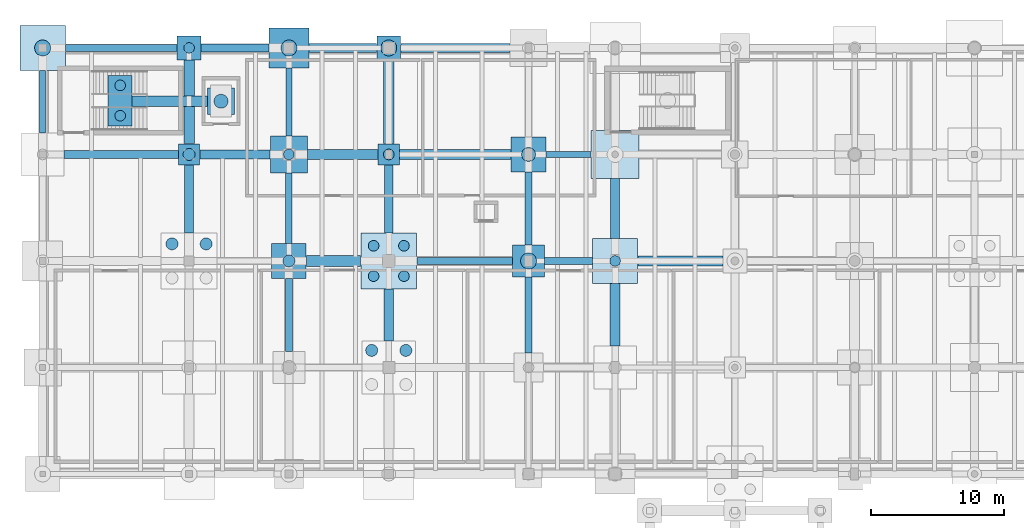
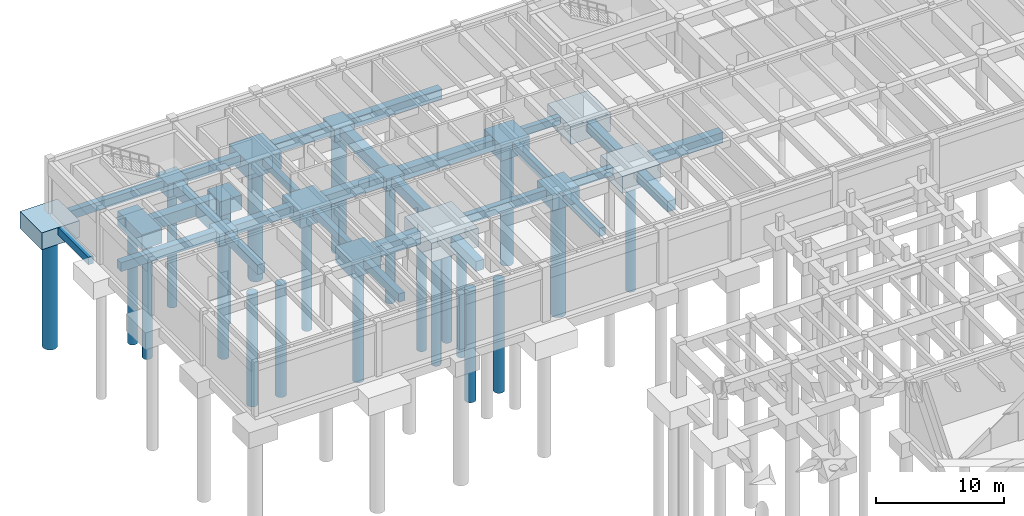
# One storey, part 9 of 36: 43 footings, 22 piles.
"""IFC4 building model written with IfcOpenShell, lengths in metres."""

from ifc_helpers import new_model, si_unit, direction, frame, origin, origin_2d, place, context, subcontext, project, spatial, polyline, circle, outline, extrude, material, material_profile, profile_set, type_object, element, save


model = new_model("IFC4")

# Units and contexts
model_context = context("Model", 3, precision=1e-05, world=origin(), true_north=direction((0.0, 1.0)))
body_context = subcontext(model_context, "Body", "Model", "MODEL_VIEW")
ifc_project = project(units=[si_unit("LENGTHUNIT", "METRE"), si_unit("AREAUNIT", "SQUARE_METRE"), si_unit("VOLUMEUNIT", "CUBIC_METRE"), si_unit("PLANEANGLEUNIT", "RADIAN"), si_unit("MASSUNIT", "GRAM", prefix="KILO"), si_unit("THERMODYNAMICTEMPERATUREUNIT", "KELVIN"), si_unit("POWERUNIT", "WATT")], contexts=[model_context])

# Site, building, storey
site_placement = place(None, origin())
site = spatial("IfcSite", under=ifc_project, at=site_placement, CompositionType="ELEMENT")
building_placement = place(site_placement, origin())
building = spatial("IfcBuilding", under=site, at=building_placement, Name="Tepalcoro Natatorium and Aquatics Centre", CompositionType="ELEMENT")
storey_placement = place(building_placement, frame((0.0, 0.0, -5.199951171875)))
storey = spatial("IfcBuildingStorey", under=building, at=storey_placement, Name="B1", CompositionType="ELEMENT", Elevation=-5.199951171875)

# Footings
ifc_material = material(Name="Concrete C40/50 (fc 40 MPa)", Category="concrete")
footing_type_1 = type_object("IfcFootingType", Name="FB_450x700", PredefinedType="FOOTING_BEAM", material=ifc_material)
footing_1_placement = place(storey_placement, frame((0.0, 0.0, -1.16015625)))
element("IfcFooting", 1, at=footing_1_placement, inside=storey, type_object=footing_type_1, Name="V4 B1 Foundation Tie Beam X", PredefinedType="FOOTING_BEAM", context=body_context, shape_type="SweptSolid", body=[
    extrude(outline(polyline([(47.804931640625, 109.77490234375), (51.195068359375, 109.77490234375), (51.195068359375, 110.22509765625), (47.804931640625, 110.22509765625), (47.804931640625, 109.77490234375)])), origin(), (0.0, 0.0, 1.0), 0.7001953125),
])
footing_2_placement = place(storey_placement, frame((0.0, 0.0, -1.16015625)))
element("IfcFooting", 2, at=footing_2_placement, inside=storey, type_object=footing_type_1, Name="V4 B1 Foundation Tie Beam Y", PredefinedType="FOOTING_BEAM", context=body_context, shape_type="SweptSolid", body=[
    extrude(outline(polyline([(10.22509765625, 111.60498046875), (10.22509765625, 116.294921875), (9.77490234375, 116.294921875), (9.77490234375, 111.60498046875), (10.22509765625, 111.60498046875)])), origin(), (0.0, 0.0, 1.0), 0.7001953125),
])
footing_3_placement = place(storey_placement, frame((0.0, 0.0, -1.16015625)))
element("IfcFooting", 3, at=footing_3_placement, inside=storey, type_object=footing_type_1, Name="V4 B1 Foundation Tie Beam Y", PredefinedType="FOOTING_BEAM", context=body_context, shape_type="SweptSolid", body=[
    extrude(outline(polyline([(28.72509765625, 111.405029296875), (28.72509765625, 116.4951171875), (28.27490234375, 116.4951171875), (28.27490234375, 111.405029296875), (28.72509765625, 111.405029296875)])), origin(), (0.0, 0.0, 1.0), 0.7001953125),
])
footing_type_2 = type_object("IfcFootingType", Name="FB_500x750", PredefinedType="FOOTING_BEAM", material=ifc_material)
footing_4_placement = place(storey_placement, frame((0.0, 0.0, -1.2099609375)))
element("IfcFooting", 4, at=footing_4_placement, inside=storey, type_object=footing_type_2, Name="V4 B1 Foundation Tie Beam X", PredefinedType="FOOTING_BEAM", context=body_context, shape_type="SweptSolid", body=[
    extrude(outline(polyline([(47.705078125, 101.75), (51.294921875, 101.75), (51.294921875, 102.25), (47.705078125, 102.25), (47.705078125, 101.75)])), origin(), (0.0, 0.0, 1.0), 0.75),
])
footing_5_placement = place(storey_placement, frame((0.0, 0.0, -1.2099609375)))
element("IfcFooting", 5, at=footing_5_placement, inside=storey, type_object=footing_type_2, Name="V4 B1 Foundation Tie Beam Y", PredefinedType="FOOTING_BEAM", context=body_context, shape_type="SweptSolid", body=[
    extrude(outline(polyline([(28.75, 103.304931640625), (28.75, 108.594970703125), (28.25, 108.594970703125), (28.25, 103.304931640625), (28.75, 103.304931640625)])), origin(), (0.0, 0.0, 1.0), 0.75),
])
footing_6_placement = place(storey_placement, frame((0.0, 0.0, -1.2099609375)))
element("IfcFooting", 6, at=footing_6_placement, inside=storey, type_object=footing_type_2, Name="V4 B1 Foundation Tie Beam Y", PredefinedType="FOOTING_BEAM", context=body_context, shape_type="SweptSolid", body=[
    extrude(outline(polyline([(46.75, 103.205078125), (46.75, 108.695068359375), (46.25, 108.695068359375), (46.25, 103.205078125), (46.75, 103.205078125)])), origin(), (0.0, 0.0, 1.0), 0.75),
])
footing_type_3 = type_object("IfcFootingType", Name="FB_550x800", PredefinedType="FOOTING_BEAM", material=ifc_material)
footing_7_placement = place(storey_placement, frame((0.0, 0.0, -1.260009765625)))
element("IfcFooting", 7, at=footing_7_placement, inside=storey, type_object=footing_type_3, Name="V4 B1 Foundation Tie Beam X", PredefinedType="FOOTING_BEAM", context=body_context, shape_type="SweptSolid", body=[
    extrude(outline(polyline([(11.705078125, 117.72509765625), (20.094970703125, 117.72509765625), (20.094970703125, 118.27490234375), (11.705078125, 118.27490234375), (11.705078125, 117.72509765625)])), origin(), (0.0, 0.0, 1.0), 0.800048828125),
])
footing_8_placement = place(storey_placement, frame((0.0, 0.0, -1.260009765625)))
element("IfcFooting", 8, at=footing_8_placement, inside=storey, type_object=footing_type_3, Name="V4 B1 Foundation Tie Beam X", PredefinedType="FOOTING_BEAM", context=body_context, shape_type="SweptSolid", body=[
    extrude(outline(polyline([(38.10498046875, 101.72509765625), (45.294921875, 101.72509765625), (45.294921875, 102.27490234375), (38.10498046875, 102.27490234375), (38.10498046875, 101.72509765625)])), origin(), (0.0, 0.0, 1.0), 0.800048828125),
])
footing_9_placement = place(storey_placement, frame((0.0, 0.0, -1.260009765625)))
element("IfcFooting", 9, at=footing_9_placement, inside=storey, type_object=footing_type_3, Name="V4 B1 Foundation Tie Beam Y", PredefinedType="FOOTING_BEAM", context=body_context, shape_type="SweptSolid", body=[
    extrude(outline(polyline([(28.77490234375, 95.205078125), (28.77490234375, 100.695068359375), (28.22509765625, 100.695068359375), (28.22509765625, 95.205078125), (28.77490234375, 95.205078125)])), origin(), (0.0, 0.0, 1.0), 0.800048828125),
])
footing_10_placement = place(storey_placement, frame((0.0, 0.0, -1.260009765625)))
element("IfcFooting", 10, at=footing_10_placement, inside=storey, type_object=footing_type_3, Name="V4 B1 Foundation Tie Beam Y", PredefinedType="FOOTING_BEAM", context=body_context, shape_type="SweptSolid", body=[
    extrude(outline(polyline([(46.77490234375, 95.10498046875), (46.77490234375, 100.794921875), (46.22509765625, 100.794921875), (46.22509765625, 95.10498046875), (46.77490234375, 95.10498046875)])), origin(), (0.0, 0.0, 1.0), 0.800048828125),
])
footing_type_4 = type_object("IfcFootingType", Name="FB_600x850", PredefinedType="FOOTING_BEAM", material=ifc_material)
footing_11_placement = place(storey_placement, frame((0.0, 0.0, -1.31005859375)))
element("IfcFooting", 11, at=footing_11_placement, inside=storey, type_object=footing_type_4, Name="V4 B1 Foundation Tie Beam X", PredefinedType="FOOTING_BEAM", context=body_context, shape_type="SweptSolid", body=[
    extrude(outline(polyline([(11.60498046875, 109.699951171875), (20.195068359375, 109.699951171875), (20.195068359375, 110.300048828125), (11.60498046875, 110.300048828125), (11.60498046875, 109.699951171875)])), origin(), (0.0, 0.0, 1.0), 0.85009765625),
])
footing_12_placement = place(storey_placement, frame((0.0, 0.0, -1.31005859375)))
element("IfcFooting", 12, at=footing_12_placement, inside=storey, type_object=footing_type_4, Name="V4 B1 Foundation Tie Beam X", PredefinedType="FOOTING_BEAM", context=body_context, shape_type="SweptSolid", body=[
    extrude(outline(polyline([(21.905029296875, 117.699951171875), (26.9951171875, 117.699951171875), (26.9951171875, 118.300048828125), (21.905029296875, 118.300048828125), (21.905029296875, 117.699951171875)])), origin(), (0.0, 0.0, 1.0), 0.85009765625),
])
footing_type_5 = type_object("IfcFootingType", Name="FB_650x900", PredefinedType="FOOTING_BEAM", material=ifc_material)
footing_13_placement = place(storey_placement, frame((0.0, 0.0, -1.360107421875)))
element("IfcFooting", 13, at=footing_13_placement, inside=storey, type_object=footing_type_5, Name="V4 B1 Foundation Tie Beam X", PredefinedType="FOOTING_BEAM", context=body_context, shape_type="SweptSolid", body=[
    extrude(outline(polyline([(21.804931640625, 109.675048828125), (27.094970703125, 109.675048828125), (27.094970703125, 110.324951171875), (21.804931640625, 110.324951171875), (21.804931640625, 109.675048828125)])), origin(), (0.0, 0.0, 1.0), 0.900146484375),
])
footing_14_placement = place(storey_placement, frame((0.0, 0.0, -1.360107421875)))
element("IfcFooting", 14, at=footing_14_placement, inside=storey, type_object=footing_type_5, Name="V4 B1 Foundation Tie Beam Y", PredefinedType="FOOTING_BEAM", context=body_context, shape_type="SweptSolid", body=[
    extrude(outline(polyline([(21.324951171875, 104.10498046875), (21.324951171875, 109.195068359375), (20.675048828125, 109.195068359375), (20.675048828125, 104.10498046875), (21.324951171875, 104.10498046875)])), origin(), (0.0, 0.0, 1.0), 0.900146484375),
])
footing_15_placement = place(storey_placement, frame((0.0, 0.0, -1.360107421875)))
element("IfcFooting", 15, at=footing_15_placement, inside=storey, type_object=footing_type_5, Name="V4 B1 Foundation Tie Beam Y", PredefinedType="FOOTING_BEAM", context=body_context, shape_type="SweptSolid", body=[
    extrude(outline(polyline([(36.324951171875, 104.10498046875), (36.324951171875, 109.195068359375), (35.675048828125, 109.195068359375), (35.675048828125, 104.10498046875), (36.324951171875, 104.10498046875)])), origin(), (0.0, 0.0, 1.0), 0.900146484375),
])
footing_type_6 = type_object("IfcFootingType", Name="FB_700x950", PredefinedType="FOOTING_BEAM", material=ifc_material)
footing_16_placement = place(storey_placement, frame((0.0, 0.0, -1.41015625)))
element("IfcFooting", 16, at=footing_16_placement, inside=storey, type_object=footing_type_6, Name="V4 B1 Foundation Tie Beam X", PredefinedType="FOOTING_BEAM", context=body_context, shape_type="SweptSolid", body=[
    extrude(outline(polyline([(30.0048828125, 117.64990234375), (35.094970703125, 117.64990234375), (35.094970703125, 118.35009765625), (30.0048828125, 118.35009765625), (30.0048828125, 117.64990234375)])), origin(), (0.0, 0.0, 1.0), 0.9501953125),
])
footing_17_placement = place(storey_placement, frame((0.0, 0.0, -1.41015625)))
element("IfcFooting", 17, at=footing_17_placement, inside=storey, type_object=footing_type_6, Name="V4 B1 Foundation Tie Beam X", PredefinedType="FOOTING_BEAM", context=body_context, shape_type="SweptSolid", body=[
    extrude(outline(polyline([(36.905029296875, 117.64990234375), (45.094970703125, 117.64990234375), (45.094970703125, 118.35009765625), (36.905029296875, 118.35009765625), (36.905029296875, 117.64990234375)])), origin(), (0.0, 0.0, 1.0), 0.9501953125),
])
footing_18_placement = place(storey_placement, frame((0.0, 0.0, -1.41015625)))
element("IfcFooting", 18, at=footing_18_placement, inside=storey, type_object=footing_type_6, Name="V4 B1 Foundation Tie Beam Y", PredefinedType="FOOTING_BEAM", context=body_context, shape_type="SweptSolid", body=[
    extrude(outline(polyline([(36.35009765625, 96.0048828125), (36.35009765625, 99.89501953125), (35.64990234375, 99.89501953125), (35.64990234375, 96.0048828125), (36.35009765625, 96.0048828125)])), origin(), (0.0, 0.0, 1.0), 0.9501953125),
])
footing_19_placement = place(storey_placement, frame((0.0, 0.0, -1.41015625)))
element("IfcFooting", 19, at=footing_19_placement, inside=storey, type_object=footing_type_6, Name="V4 B1 Foundation Tie Beam Y", PredefinedType="FOOTING_BEAM", context=body_context, shape_type="SweptSolid", body=[
    extrude(outline(polyline([(53.35009765625, 103.705078125), (53.35009765625, 108.195068359375), (52.64990234375, 108.195068359375), (52.64990234375, 103.705078125), (53.35009765625, 103.705078125)])), origin(), (0.0, 0.0, 1.0), 0.9501953125),
])
footing_type_7 = type_object("IfcFootingType", Name="FB_750x1000", PredefinedType="FOOTING_BEAM", material=ifc_material)
footing_20_placement = place(storey_placement, frame((0.0, 0.0, -1.4599609375)))
element("IfcFooting", 20, at=footing_20_placement, inside=storey, type_object=footing_type_7, Name="V4 B1 Foundation Tie Beam X", PredefinedType="FOOTING_BEAM", context=body_context, shape_type="SweptSolid", body=[
    extrude(outline(polyline([(29.905029296875, 109.625), (35.195068359375, 109.625), (35.195068359375, 110.375), (29.905029296875, 110.375), (29.905029296875, 109.625)])), origin(), (0.0, 0.0, 1.0), 1.0),
])
footing_21_placement = place(storey_placement, frame((0.0, 0.0, -1.4599609375)))
element("IfcFooting", 21, at=footing_21_placement, inside=storey, type_object=footing_type_7, Name="V4 B1 Foundation Tie Beam X", PredefinedType="FOOTING_BEAM", context=body_context, shape_type="SweptSolid", body=[
    extrude(outline(polyline([(36.804931640625, 109.625), (45.195068359375, 109.625), (45.195068359375, 110.375), (36.804931640625, 110.375), (36.804931640625, 109.625)])), origin(), (0.0, 0.0, 1.0), 1.0),
])
footing_22_placement = place(storey_placement, frame((0.0, 0.0, -1.4599609375)))
element("IfcFooting", 22, at=footing_22_placement, inside=storey, type_object=footing_type_7, Name="V4 B1 Foundation Tie Beam X", PredefinedType="FOOTING_BEAM", context=body_context, shape_type="SweptSolid", body=[
    extrude(outline(polyline([(54.705078125, 101.625), (61.094970703125, 101.625), (61.094970703125, 102.375), (54.705078125, 102.375), (54.705078125, 101.625)])), origin(), (0.0, 0.0, 1.0), 1.0),
])
footing_23_placement = place(storey_placement, frame((0.0, 0.0, -1.4599609375)))
element("IfcFooting", 23, at=footing_23_placement, inside=storey, type_object=footing_type_7, Name="V4 B1 Foundation Tie Beam Y", PredefinedType="FOOTING_BEAM", context=body_context, shape_type="SweptSolid", body=[
    extrude(outline(polyline([(53.375, 95.60498046875), (53.375, 100.294921875), (52.625, 100.294921875), (52.625, 95.60498046875), (53.375, 95.60498046875)])), origin(), (0.0, 0.0, 1.0), 1.0),
])
footing_type_8 = type_object("IfcFootingType", Name="FB_800x1100", PredefinedType="FOOTING_BEAM", material=ifc_material)
footing_24_placement = place(storey_placement, frame((0.0, 0.0, -1.56005859375)))
element("IfcFooting", 24, at=footing_24_placement, inside=storey, type_object=footing_type_8, Name="V4 B1 Foundation Tie Beam X", PredefinedType="FOOTING_BEAM", context=body_context, shape_type="SweptSolid", body=[
    extrude(outline(polyline([(16.72998046875, 113.60009765625), (22.39501953125, 113.60009765625), (22.39501953125, 114.39990234375), (16.72998046875, 114.39990234375), (16.72998046875, 113.60009765625)])), origin(), (0.0, 0.0, 1.0), 1.10009765625),
])
footing_25_placement = place(storey_placement, frame((0.0, 0.0, -1.56005859375)))
element("IfcFooting", 25, at=footing_25_placement, inside=storey, type_object=footing_type_8, Name="V4 B1 Foundation Tie Beam X", PredefinedType="FOOTING_BEAM", context=body_context, shape_type="SweptSolid", body=[
    extrude(outline(polyline([(29.804931640625, 101.60009765625), (33.89501953125, 101.60009765625), (33.89501953125, 102.39990234375), (29.804931640625, 102.39990234375), (29.804931640625, 101.60009765625)])), origin(), (0.0, 0.0, 1.0), 1.10009765625),
])
footing_26_placement = place(storey_placement, frame((0.0, 0.0, -1.56005859375)))
element("IfcFooting", 26, at=footing_26_placement, inside=storey, type_object=footing_type_8, Name="V4 B1 Foundation Tie Beam Y", PredefinedType="FOOTING_BEAM", context=body_context, shape_type="SweptSolid", body=[
    extrude(outline(polyline([(21.39990234375, 110.804931640625), (20.60009765625, 110.804931640625), (20.60009765625, 113.590087890625), (21.39990234375, 113.590087890625), (21.39990234375, 110.804931640625)])), origin(), (0.0, 0.0, 1.0), 1.10009765625),
])
footing_27_placement = place(storey_placement, frame((0.0, 0.0, -1.56005859375)))
element("IfcFooting", 27, at=footing_27_placement, inside=storey, type_object=footing_type_8, Name="V4 B1 Foundation Tie Beam Y", PredefinedType="FOOTING_BEAM", context=body_context, shape_type="SweptSolid", body=[
    extrude(outline(polyline([(20.60009765625, 117.094970703125), (21.39990234375, 117.094970703125), (21.39990234375, 114.409912109375), (20.60009765625, 114.409912109375), (20.60009765625, 117.094970703125)])), origin(), (0.0, 0.0, 1.0), 1.10009765625),
])
footing_28_placement = place(storey_placement, frame((0.0, 0.0, -1.56005859375)))
element("IfcFooting", 28, at=footing_28_placement, inside=storey, type_object=footing_type_8, Name="V4 B1 Foundation Tie Beam Y", PredefinedType="FOOTING_BEAM", context=body_context, shape_type="SweptSolid", body=[
    extrude(outline(polyline([(36.39990234375, 110.804931640625), (36.39990234375, 117.094970703125), (35.60009765625, 117.094970703125), (35.60009765625, 110.804931640625), (36.39990234375, 110.804931640625)])), origin(), (0.0, 0.0, 1.0), 1.10009765625),
])
footing_type_9 = type_object("IfcFootingType", Name="PC_1600x1600x1200", PredefinedType="PILE_CAP", material=ifc_material)
footing_29_placement = place(storey_placement, frame((0.0, 0.0, -1.66015625)))
element("IfcFooting", 29, at=footing_29_placement, inside=storey, type_object=footing_type_9, Name="V4 Reinforced Concrete Pile Cap 182", PredefinedType="PILE_CAP", context=body_context, shape_type="SweptSolid", body=[
    extrude(outline(polyline([(20.199951171875, 109.199951171875), (21.800048828125, 109.199951171875), (21.800048828125, 110.800048828125), (20.199951171875, 110.800048828125), (20.199951171875, 109.199951171875)])), origin(), (0.0, 0.0, 1.0), 1.2001953125),
])
footing_30_placement = place(storey_placement, frame((0.0, 0.0, -1.66015625)))
element("IfcFooting", 30, at=footing_30_placement, inside=storey, type_object=footing_type_9, Name="V4 Reinforced Concrete Pile Cap 193", PredefinedType="PILE_CAP", context=body_context, shape_type="SweptSolid", body=[
    extrude(outline(polyline([(35.199951171875, 109.199951171875), (36.800048828125, 109.199951171875), (36.800048828125, 110.800048828125), (35.199951171875, 110.800048828125), (35.199951171875, 109.199951171875)])), origin(), (0.0, 0.0, 1.0), 1.2001953125),
])
footing_type_10 = type_object("IfcFootingType", Name="PC_1800x1800x1300", PredefinedType="PILE_CAP", material=ifc_material)
footing_31_placement = place(storey_placement, frame((0.0, 0.0, -1.760009765625)))
element("IfcFooting", 31, at=footing_31_placement, inside=storey, type_object=footing_type_10, Name="V4 Reinforced Concrete Pile Cap 181", PredefinedType="PILE_CAP", context=body_context, shape_type="SweptSolid", body=[
    extrude(outline(polyline([(20.10009765625, 117.10009765625), (21.89990234375, 117.10009765625), (21.89990234375, 118.89990234375), (20.10009765625, 118.89990234375), (20.10009765625, 117.10009765625)])), origin(), (0.0, 0.0, 1.0), 1.300048828125),
])
footing_32_placement = place(storey_placement, frame((0.0, 0.0, -1.760009765625)))
element("IfcFooting", 32, at=footing_32_placement, inside=storey, type_object=footing_type_10, Name="V4 Reinforced Concrete Pile Cap 192", PredefinedType="PILE_CAP", context=body_context, shape_type="SweptSolid", body=[
    extrude(outline(polyline([(35.10009765625, 117.10009765625), (36.89990234375, 117.10009765625), (36.89990234375, 118.89990234375), (35.10009765625, 118.89990234375), (35.10009765625, 117.10009765625)])), origin(), (0.0, 0.0, 1.0), 1.300048828125),
])
footing_type_11 = type_object("IfcFootingType", Name="PC_1800x3800x1400", PredefinedType="PILE_CAP", material=ifc_material)
footing_33_placement = place(storey_placement, frame((0.0, 0.0, -1.860107421875)))
element("IfcFooting", 33, at=footing_33_placement, inside=storey, type_object=footing_type_11, Name="V4 Reinforced Concrete Pile Cap 177", PredefinedType="PILE_CAP", context=body_context, shape_type="SweptSolid", body=[
    extrude(outline(polyline([(14.925048828125, 112.14990234375), (16.72509765625, 112.14990234375), (16.72509765625, 115.949951171875), (14.925048828125, 115.949951171875), (14.925048828125, 112.14990234375)])), origin(), (0.0, 0.0, 1.0), 1.400146484375),
])
footing_type_12 = type_object("IfcFootingType", Name="PC_2000x2000x1400", PredefinedType="PILE_CAP", material=ifc_material)
footing_34_placement = place(storey_placement, frame((0.0, 0.0, -1.860107421875)))
element("IfcFooting", 34, at=footing_34_placement, inside=storey, type_object=footing_type_12, Name="V4 Reinforced Concrete Pile Cap 183", PredefinedType="PILE_CAP", context=body_context, shape_type="SweptSolid", body=[
    extrude(outline(polyline([(22.39990234375, 113.0), (24.39990234375, 113.0), (24.39990234375, 115.0), (22.39990234375, 115.0), (22.39990234375, 113.0)])), origin(), (0.0, 0.0, 1.0), 1.400146484375),
])
footing_type_13 = type_object("IfcFootingType", Name="PC_2400x2400x1500", PredefinedType="PILE_CAP", material=ifc_material)
footing_35_placement = place(storey_placement, frame((0.0, 0.0, -1.9599609375)))
element("IfcFooting", 35, at=footing_35_placement, inside=storey, type_object=footing_type_13, Name="V4 Reinforced Concrete Pile Cap 196", PredefinedType="PILE_CAP", context=body_context, shape_type="SweptSolid", body=[
    extrude(outline(polyline([(45.300048828125, 100.800048828125), (47.699951171875, 100.800048828125), (47.699951171875, 103.199951171875), (45.300048828125, 103.199951171875), (45.300048828125, 100.800048828125)])), origin(), (0.0, 0.0, 1.0), 1.5),
])
footing_type_14 = type_object("IfcFootingType", Name="PC_2600x2600x1500", PredefinedType="PILE_CAP", material=ifc_material)
footing_36_placement = place(storey_placement, frame((0.0, 0.0, -1.9599609375)))
element("IfcFooting", 36, at=footing_36_placement, inside=storey, type_object=footing_type_14, Name="V4 Reinforced Concrete Pile Cap 186", PredefinedType="PILE_CAP", context=body_context, shape_type="SweptSolid", body=[
    extrude(outline(polyline([(27.199951171875, 100.699951171875), (29.800048828125, 100.699951171875), (29.800048828125, 103.300048828125), (27.199951171875, 103.300048828125), (27.199951171875, 100.699951171875)])), origin(), (0.0, 0.0, 1.0), 1.5),
])
footing_37_placement = place(storey_placement, frame((0.0, 0.0, -1.9599609375)))
element("IfcFooting", 37, at=footing_37_placement, inside=storey, type_object=footing_type_14, Name="V4 Reinforced Concrete Pile Cap 195", PredefinedType="PILE_CAP", context=body_context, shape_type="SweptSolid", body=[
    extrude(outline(polyline([(45.199951171875, 108.699951171875), (47.800048828125, 108.699951171875), (47.800048828125, 111.300048828125), (45.199951171875, 111.300048828125), (45.199951171875, 108.699951171875)])), origin(), (0.0, 0.0, 1.0), 1.5),
])
footing_type_15 = type_object("IfcFootingType", Name="PC_2800x2800x1500", PredefinedType="PILE_CAP", material=ifc_material)
footing_38_placement = place(storey_placement, frame((0.0, 0.0, -1.9599609375)))
element("IfcFooting", 38, at=footing_38_placement, inside=storey, type_object=footing_type_15, Name="V4 Reinforced Concrete Pile Cap 185", PredefinedType="PILE_CAP", context=body_context, shape_type="SweptSolid", body=[
    extrude(outline(polyline([(27.10009765625, 108.60009765625), (29.89990234375, 108.60009765625), (29.89990234375, 111.39990234375), (27.10009765625, 111.39990234375), (27.10009765625, 108.60009765625)])), origin(), (0.0, 0.0, 1.0), 1.5),
])
footing_type_16 = type_object("IfcFootingType", Name="PC_3000x3000x1600", PredefinedType="PILE_CAP", material=ifc_material)
footing_39_placement = place(storey_placement, frame((0.0, 0.0, -2.06005859375)))
element("IfcFooting", 39, at=footing_39_placement, inside=storey, type_object=footing_type_16, Name="V4 Reinforced Concrete Pile Cap 184", PredefinedType="PILE_CAP", context=body_context, shape_type="SweptSolid", body=[
    extrude(outline(polyline([(27.0, 116.5), (30.0, 116.5), (30.0, 119.5), (27.0, 119.5), (27.0, 116.5)])), origin(), (0.0, 0.0, 1.0), 1.60009765625),
])
footing_type_17 = type_object("IfcFootingType", Name="PC_3400x3400x1600", PredefinedType="PILE_CAP", material=ifc_material)
footing_40_placement = place(storey_placement, frame((0.0, 0.0, -2.06005859375)))
element("IfcFooting", 40, at=footing_40_placement, inside=storey, type_object=footing_type_17, Name="V4 Reinforced Concrete Pile Cap 172", PredefinedType="PILE_CAP", context=body_context, shape_type="SweptSolid", body=[
    extrude(outline(polyline([(8.300048828125, 116.300048828125), (11.699951171875, 116.300048828125), (11.699951171875, 119.699951171875), (8.300048828125, 119.699951171875), (8.300048828125, 116.300048828125)])), origin(), (0.0, 0.0, 1.0), 1.60009765625),
])
footing_41_placement = place(storey_placement, frame((0.0, 0.0, -2.06005859375)))
element("IfcFooting", 41, at=footing_41_placement, inside=storey, type_object=footing_type_17, Name="V4 Reinforced Concrete Pile Cap 201", PredefinedType="PILE_CAP", context=body_context, shape_type="SweptSolid", body=[
    extrude(outline(polyline([(51.300048828125, 100.300048828125), (54.699951171875, 100.300048828125), (54.699951171875, 103.699951171875), (51.300048828125, 103.699951171875), (51.300048828125, 100.300048828125)])), origin(), (0.0, 0.0, 1.0), 1.60009765625),
])
footing_type_18 = type_object("IfcFootingType", Name="PC_3600x3600x1700", PredefinedType="PILE_CAP", material=ifc_material)
footing_42_placement = place(storey_placement, frame((0.0, 0.0, -2.16015625)))
element("IfcFooting", 42, at=footing_42_placement, inside=storey, type_object=footing_type_18, Name="V4 Reinforced Concrete Pile Cap 200", PredefinedType="PILE_CAP", context=body_context, shape_type="SweptSolid", body=[
    extrude(outline(polyline([(51.199951171875, 108.199951171875), (54.800048828125, 108.199951171875), (54.800048828125, 111.800048828125), (51.199951171875, 111.800048828125), (51.199951171875, 108.199951171875)])), origin(), (0.0, 0.0, 1.0), 1.7001953125),
])
footing_type_19 = type_object("IfcFootingType", Name="PC_4200x4200x1800", PredefinedType="PILE_CAP", material=ifc_material)
footing_43_placement = place(storey_placement, frame((0.0, 0.0, -2.260009765625)))
element("IfcFooting", 43, at=footing_43_placement, inside=storey, type_object=footing_type_19, Name="V4 Reinforced Concrete Pile Cap 189", PredefinedType="PILE_CAP", context=body_context, shape_type="SweptSolid", body=[
    extrude(outline(polyline([(33.89990234375, 99.89990234375), (38.10009765625, 99.89990234375), (38.10009765625, 104.10009765625), (33.89990234375, 104.10009765625), (33.89990234375, 99.89990234375)])), origin(), (0.0, 0.0, 1.0), 1.800048828125),
])

# Piles
ifc_material_profile_1 = material_profile(ifc_material, circle(Radius=0.52490234375, at=origin_2d()), Name="PILE_D1050")
ifc_profile_set_1 = profile_set([ifc_material_profile_1], Name="Concrete C40/50 (fc 40 MPa)")
pile_type_1 = type_object("IfcPileType", Name="PILE_D1050", PredefinedType="BORED", material=ifc_profile_set_1)
pile_1_placement = place(storey_placement, frame((23.39990234375, 114.0, -1.760009765625), z_axis=(0.0, 0.0, -1.0), x_axis=(1.0, 0.0, 0.0)))
element("IfcPile", 44, at=pile_1_placement, inside=storey, type_object=pile_type_1, Name="Bored Pile PILE_D1050 under PC_V4_0182", PredefinedType="BORED", context=body_context, shape_type="SweptSolid", body=[
    extrude(circle(Radius=0.52490234375, at=origin_2d()), origin(), (0.0, 0.0, 1.0), 11.0400390625),
])
pile_2_placement = place(storey_placement, frame((46.5, 110.0, -1.860107421875), z_axis=(0.0, 0.0, -1.0), x_axis=(1.0, 0.0, 0.0)))
element("IfcPile", 45, at=pile_2_placement, inside=storey, type_object=pile_type_1, Name="Bored Pile PILE_D1050 under PC_V4_0194", PredefinedType="BORED", context=body_context, shape_type="SweptSolid", body=[
    extrude(circle(Radius=0.52490234375, at=origin_2d()), origin(), (0.0, 0.0, 1.0), 10.93994140625),
])
ifc_material_profile_2 = material_profile(ifc_material, circle(Radius=0.60009765625, at=origin_2d()), Name="PILE_D1200")
ifc_profile_set_2 = profile_set([ifc_material_profile_2], Name="Concrete C40/50 (fc 40 MPa)")
pile_type_2 = type_object("IfcPileType", Name="PILE_D1200", PredefinedType="BORED", material=ifc_profile_set_2)
for number, where, z_axis, x_axis, name in (
    (46, (10.0, 118.0, -1.9599609375), (0.0, 0.0, -1.0), (1.0, 0.0, 0.0), "Bored Pile PILE_D1200 under PC_V4_0171"),
    (47, (28.5, 118.0, -1.9599609375), (0.0, 0.0, -1.0), (1.0, 0.0, 0.0), "Bored Pile PILE_D1200 under PC_V4_0183"),
):
    element("IfcPile", number, at=place(storey_placement, frame(where, z_axis=z_axis, x_axis=x_axis)), inside=storey, type_object=pile_type_2, Name=name, PredefinedType="BORED", context=body_context, shape_type="SweptSolid", body=[
        extrude(circle(Radius=0.60009765625, at=origin_2d()), origin(), (0.0, 0.0, 1.0), 10.840087890625),
    ])
pile_3_placement = place(storey_placement, frame((36.0, 118.0, -1.66015625), z_axis=(0.0, 0.0, -1.0), x_axis=(1.0, 0.0, 0.0)))
element("IfcPile", 48, at=pile_3_placement, inside=storey, type_object=pile_type_2, Name="Bored Pile PILE_D1200 under PC_V4_0191", PredefinedType="BORED", context=body_context, shape_type="SweptSolid", body=[
    extrude(circle(Radius=0.60009765625, at=origin_2d()), origin(), (0.0, 0.0, 1.0), 11.139892578125),
])
pile_4_placement = place(storey_placement, frame((46.5, 102.0, -1.860107421875), z_axis=(0.0, 0.0, -1.0), x_axis=(1.0, 0.0, 0.0)))
element("IfcPile", 49, at=pile_4_placement, inside=storey, type_object=pile_type_2, Name="Bored Pile PILE_D1200 under PC_V4_0195", PredefinedType="BORED", context=body_context, shape_type="SweptSolid", body=[
    extrude(circle(Radius=0.60009765625, at=origin_2d()), origin(), (0.0, 0.0, 1.0), 10.93994140625),
])
ifc_material_profile_3 = material_profile(ifc_material, circle(Radius=0.39990234375, at=origin_2d()), Name="PILE_D800")
ifc_profile_set_3 = profile_set([ifc_material_profile_3], Name="Concrete C40/50 (fc 40 MPa)")
pile_type_3 = type_object("IfcPileType", Name="PILE_D800", PredefinedType="BORED", material=ifc_profile_set_3)
for number, where, z_axis, x_axis, name in (
    (50, (15.824951171875, 112.909912109375, -1.760009765625), (0.0, 0.0, -1.0), (1.0, 0.0, 0.0), "Bored Pile PILE_D800 under PC_V4_0176"),
    (51, (15.824951171875, 115.18994140625, -1.760009765625), (0.0, 0.0, -1.0), (1.0, 0.0, 0.0), "Bored Pile PILE_D800 under PC_V4_0176"),
):
    element("IfcPile", number, at=place(storey_placement, frame(where, z_axis=z_axis, x_axis=x_axis)), inside=storey, type_object=pile_type_3, Name=name, PredefinedType="BORED", context=body_context, shape_type="SweptSolid", body=[
        extrude(circle(Radius=0.39990234375, at=origin_2d()), origin(), (0.0, 0.0, 1.0), 11.0400390625),
    ])
pile_5_placement = place(storey_placement, frame((21.0, 118.0, -1.66015625), z_axis=(0.0, 0.0, -1.0), x_axis=(1.0, 0.0, 0.0)))
element("IfcPile", 52, at=pile_5_placement, inside=storey, type_object=pile_type_3, Name="Bored Pile PILE_D800 under PC_V4_0180", PredefinedType="BORED", context=body_context, shape_type="SweptSolid", body=[
    extrude(circle(Radius=0.39990234375, at=origin_2d()), origin(), (0.0, 0.0, 1.0), 11.139892578125),
])
pile_6_placement = place(storey_placement, frame((28.5, 110.0, -1.860107421875), z_axis=(0.0, 0.0, -1.0), x_axis=(1.0, 0.0, 0.0)))
element("IfcPile", 53, at=pile_6_placement, inside=storey, type_object=pile_type_3, Name="Bored Pile PILE_D800 under PC_V4_0184", PredefinedType="BORED", context=body_context, shape_type="SweptSolid", body=[
    extrude(circle(Radius=0.39990234375, at=origin_2d()), origin(), (0.0, 0.0, 1.0), 10.93994140625),
])
for number, where, z_axis, x_axis, name in (
    (54, (34.860107421875, 100.860107421875, -2.16015625), (0.0, 0.0, -1.0), (1.0, 0.0, 0.0), "Bored Pile PILE_D800 under PC_V4_0188"),
    (55, (34.860107421875, 103.139892578125, -2.16015625), (0.0, 0.0, -1.0), (1.0, 0.0, 0.0), "Bored Pile PILE_D800 under PC_V4_0188"),
    (56, (37.139892578125, 100.860107421875, -2.16015625), (0.0, 0.0, -1.0), (1.0, 0.0, 0.0), "Bored Pile PILE_D800 under PC_V4_0188"),
    (57, (37.139892578125, 103.139892578125, -2.16015625), (0.0, 0.0, -1.0), (1.0, 0.0, 0.0), "Bored Pile PILE_D800 under PC_V4_0188"),
):
    element("IfcPile", number, at=place(storey_placement, frame(where, z_axis=z_axis, x_axis=x_axis)), inside=storey, type_object=pile_type_3, Name=name, PredefinedType="BORED", context=body_context, shape_type="SweptSolid", body=[
        extrude(circle(Radius=0.39990234375, at=origin_2d()), origin(), (0.0, 0.0, 1.0), 10.639892578125),
    ])
pile_7_placement = place(storey_placement, frame((36.0, 110.0, -1.56005859375), z_axis=(0.0, 0.0, -1.0), x_axis=(1.0, 0.0, 0.0)))
element("IfcPile", 58, at=pile_7_placement, inside=storey, type_object=pile_type_3, Name="Bored Pile PILE_D800 under PC_V4_0192", PredefinedType="BORED", context=body_context, shape_type="SweptSolid", body=[
    extrude(circle(Radius=0.39990234375, at=origin_2d()), origin(), (0.0, 0.0, 1.0), 11.239990234375),
])
pile_8_placement = place(storey_placement, frame((53.0, 102.0, -1.9599609375), z_axis=(0.0, 0.0, -1.0), x_axis=(1.0, 0.0, 0.0)))
element("IfcPile", 59, at=pile_8_placement, inside=storey, type_object=pile_type_3, Name="Bored Pile PILE_D800 under PC_V4_0200", PredefinedType="BORED", context=body_context, shape_type="SweptSolid", body=[
    extrude(circle(Radius=0.39990234375, at=origin_2d()), origin(), (0.0, 0.0, 1.0), 10.840087890625),
])
ifc_material_profile_4 = material_profile(ifc_material, circle(Radius=0.449951171875, at=origin_2d()), Name="PILE_D900")
ifc_profile_set_4 = profile_set([ifc_material_profile_4], Name="Concrete C40/50 (fc 40 MPa)")
pile_type_4 = type_object("IfcPileType", Name="PILE_D900", PredefinedType="BORED", material=ifc_profile_set_4)
for number, where, z_axis, x_axis, name in (
    (60, (19.717529296875, 103.282470703125, -2.16015625), (0.0, 0.0, -1.0), (1.0, 0.0, 0.0), "Bored Pile PILE_D900 under PC_V4_0177"),
    (61, (22.282470703125, 103.282470703125, -2.16015625), (0.0, 0.0, -1.0), (1.0, 0.0, 0.0), "Bored Pile PILE_D900 under PC_V4_0177"),
):
    element("IfcPile", number, at=place(storey_placement, frame(where, z_axis=z_axis, x_axis=x_axis)), inside=storey, type_object=pile_type_4, Name=name, PredefinedType="BORED", context=body_context, shape_type="SweptSolid", body=[
        extrude(circle(Radius=0.449951171875, at=origin_2d()), origin(), (0.0, 0.0, 1.0), 10.639892578125),
    ])
pile_9_placement = place(storey_placement, frame((21.0, 110.0, -1.56005859375), z_axis=(0.0, 0.0, -1.0), x_axis=(1.0, 0.0, 0.0)))
element("IfcPile", 62, at=pile_9_placement, inside=storey, type_object=pile_type_4, Name="Bored Pile PILE_D900 under PC_V4_0181", PredefinedType="BORED", context=body_context, shape_type="SweptSolid", body=[
    extrude(circle(Radius=0.449951171875, at=origin_2d()), origin(), (0.0, 0.0, 1.0), 11.239990234375),
])
pile_10_placement = place(storey_placement, frame((28.5, 102.0, -1.860107421875), z_axis=(0.0, 0.0, -1.0), x_axis=(1.0, 0.0, 0.0)))
element("IfcPile", 63, at=pile_10_placement, inside=storey, type_object=pile_type_4, Name="Bored Pile PILE_D900 under PC_V4_0185", PredefinedType="BORED", context=body_context, shape_type="SweptSolid", body=[
    extrude(circle(Radius=0.449951171875, at=origin_2d()), origin(), (0.0, 0.0, 1.0), 10.93994140625),
])
for number, where, z_axis, x_axis, name in (
    (64, (34.717529296875, 95.282470703125, -2.16015625), (0.0, 0.0, -1.0), (1.0, 0.0, 0.0), "Bored Pile PILE_D900 under PC_V4_0189"),
    (65, (37.282470703125, 95.282470703125, -2.16015625), (0.0, 0.0, -1.0), (1.0, 0.0, 0.0), "Bored Pile PILE_D900 under PC_V4_0189"),
):
    element("IfcPile", number, at=place(storey_placement, frame(where, z_axis=z_axis, x_axis=x_axis)), inside=storey, type_object=pile_type_4, Name=name, PredefinedType="BORED", context=body_context, shape_type="SweptSolid", body=[
        extrude(circle(Radius=0.449951171875, at=origin_2d()), origin(), (0.0, 0.0, 1.0), 10.639892578125),
    ])

save(model, "model.ifc")
